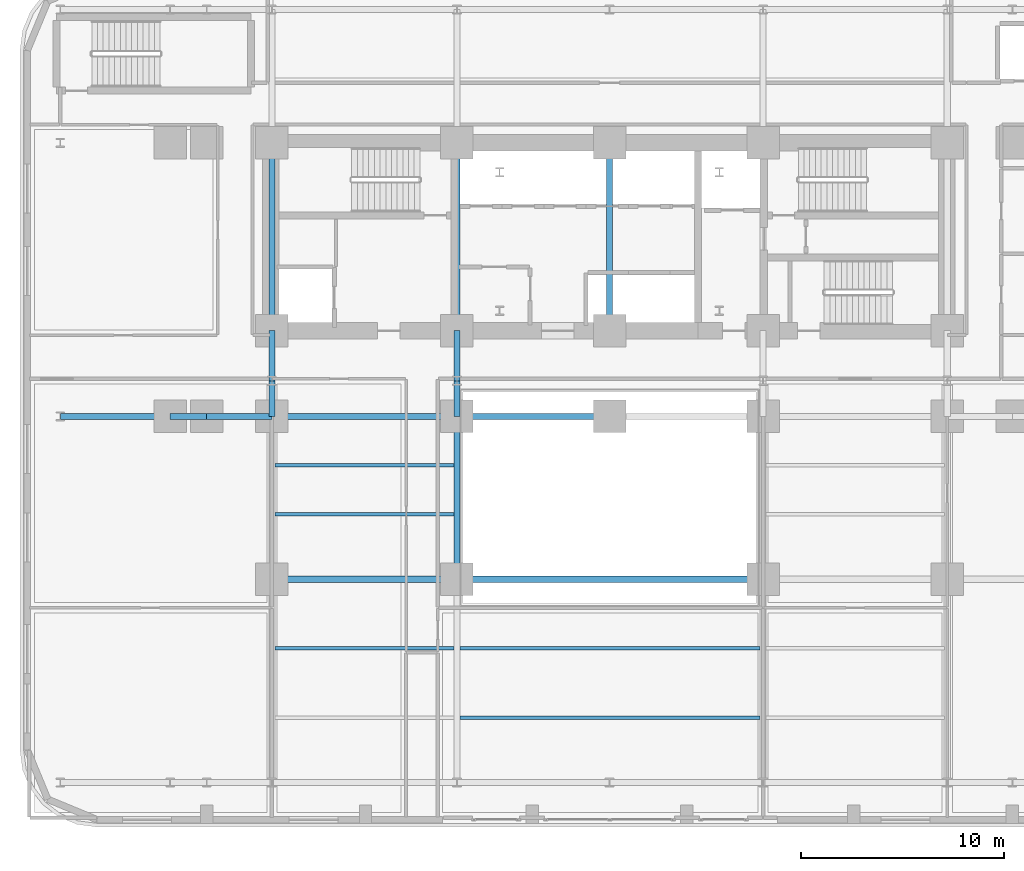
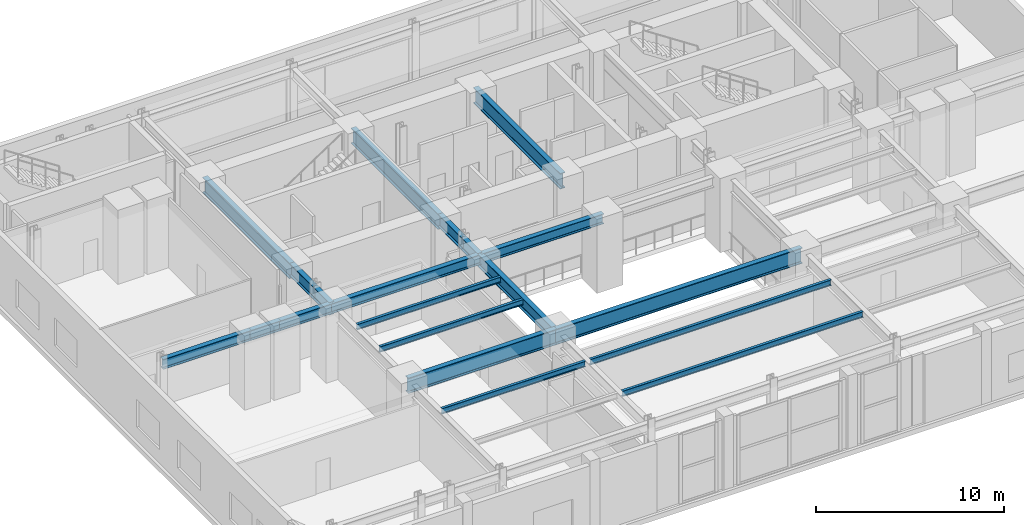
# One storey, part 3 of 16: 20 beams.
"""IFC4 building model written with IfcOpenShell, lengths in metres."""

from ifc_helpers import new_model, si_unit, direction, frame, origin, origin_2d, place, context, subcontext, project, spatial, i_section, extrude, material, material_profile, profile_set, type_object, element, save


model = new_model("IFC4")

# Units and contexts
model_context = context("Model", 3, precision=1e-05, world=origin(), true_north=direction((0.0, 1.0)))
body_context = subcontext(model_context, "Body", "Model", "MODEL_VIEW")
ifc_project = project(units=[si_unit("LENGTHUNIT", "METRE"), si_unit("AREAUNIT", "SQUARE_METRE"), si_unit("VOLUMEUNIT", "CUBIC_METRE"), si_unit("PLANEANGLEUNIT", "RADIAN"), si_unit("MASSUNIT", "GRAM", prefix="KILO")], contexts=[model_context])

# Site, building, storey
site_placement = place(None, origin())
site = spatial("IfcSite", under=ifc_project, at=site_placement, CompositionType="ELEMENT")
building_placement = place(site_placement, origin())
building = spatial("IfcBuilding", under=site, at=building_placement, Name="Zarnavel Station Tower", CompositionType="ELEMENT")
storey_placement = place(building_placement, frame((0.0, 0.0, 19.39990234375)))
storey = spatial("IfcBuildingStorey", under=building, at=storey_placement, Name="L05", CompositionType="ELEMENT", Elevation=19.39990234375)

# Beams
ifc_material_1 = material(Name="Steel S355J2", Category="steel")
ifc_material_profile_1 = material_profile(ifc_material_1, i_section(OverallWidth=0.300048828125, OverallDepth=0.64990234375, WebThickness=0.01611328125, FlangeThickness=0.031005859375, FilletRadius=0.027099609375, at=origin_2d()), Name="HEB650")
ifc_profile_set_1 = profile_set([ifc_material_profile_1], Name="Steel S355J2")
beam_type_1 = type_object("IfcBeamType", Name="FG_HEB650", PredefinedType="USERDEFINED", material=ifc_profile_set_1)
beam_1_placement = place(storey_placement, frame((1.800048828125, 23.60009765625, 4.175048828125), z_axis=(1.0, 0.0, 0.0), x_axis=(0.0, 1.0, 0.0)))
element("IfcBeam", 1, at=beam_1_placement, inside=storey, type_object=beam_type_1, Name="L05 EW Frame Girder 2-1", ObjectType="GIRDER", PredefinedType="USERDEFINED", context=body_context, shape_type="SweptSolid", body=[
    extrude(i_section(OverallWidth=0.300048828125, OverallDepth=0.64990234375, WebThickness=0.01611328125, FlangeThickness=0.031005859375, FilletRadius=0.027099609375, at=origin_2d()), origin(), (0.0, 0.0, 1.0), 5.39990234375),
])
beam_2_placement = place(storey_placement, frame((7.199951171875, 23.60009765625, 4.175048828125), z_axis=(1.0, 0.0, 0.0), x_axis=(0.0, 1.0, 0.0)))
element("IfcBeam", 2, at=beam_2_placement, inside=storey, type_object=beam_type_1, Name="L05 EW Frame Girder 2-2", ObjectType="GIRDER", PredefinedType="USERDEFINED", context=body_context, shape_type="SweptSolid", body=[
    extrude(i_section(OverallWidth=0.300048828125, OverallDepth=0.64990234375, WebThickness=0.01611328125, FlangeThickness=0.031005859375, FilletRadius=0.027099609375, at=origin_2d()), origin(), (0.0, 0.0, 1.0), 1.800048828125),
])
beam_3_placement = place(storey_placement, frame((9.0, 23.60009765625, 4.175048828125), z_axis=(1.0, 0.0, 0.0), x_axis=(0.0, 1.0, 0.0)))
element("IfcBeam", 3, at=beam_3_placement, inside=storey, type_object=beam_type_1, Name="L05 EW Frame Girder 2-3", ObjectType="GIRDER", PredefinedType="USERDEFINED", context=body_context, shape_type="SweptSolid", body=[
    extrude(i_section(OverallWidth=0.300048828125, OverallDepth=0.64990234375, WebThickness=0.01611328125, FlangeThickness=0.031005859375, FilletRadius=0.027099609375, at=origin_2d()), origin(), (0.0, 0.0, 1.0), 3.199951171875),
])
beam_4_placement = place(storey_placement, frame((12.199951171875, 23.60009765625, 4.175048828125), z_axis=(1.0, 0.0, 0.0), x_axis=(0.0, 1.0, 0.0)))
element("IfcBeam", 4, at=beam_4_placement, inside=storey, type_object=beam_type_1, Name="L05 EW Frame Girder 2-4", ObjectType="GIRDER", PredefinedType="USERDEFINED", context=body_context, shape_type="SweptSolid", body=[
    extrude(i_section(OverallWidth=0.300048828125, OverallDepth=0.64990234375, WebThickness=0.01611328125, FlangeThickness=0.031005859375, FilletRadius=0.027099609375, at=origin_2d()), origin(), (0.0, 0.0, 1.0), 9.10009765625),
])
beam_5_placement = place(storey_placement, frame((21.300048828125, 23.60009765625, 4.175048828125), z_axis=(1.0, 0.0, 0.0), x_axis=(0.0, 1.0, 0.0)))
element("IfcBeam", 5, at=beam_5_placement, inside=storey, type_object=beam_type_1, Name="L05 EW Frame Girder 2-5", ObjectType="GIRDER", PredefinedType="USERDEFINED", context=body_context, shape_type="SweptSolid", body=[
    extrude(i_section(OverallWidth=0.300048828125, OverallDepth=0.64990234375, WebThickness=0.01611328125, FlangeThickness=0.031005859375, FilletRadius=0.027099609375, at=origin_2d()), origin(), (0.0, 0.0, 1.0), 7.5),
])
ifc_material_2 = material(Name="Steel S460M", Category="steel")
ifc_material_profile_2 = material_profile(ifc_material_2, i_section(OverallWidth=0.302978515625, OverallDepth=0.81396484375, WebThickness=0.02099609375, FlangeThickness=0.0400390625, FilletRadius=0.030029296875, at=origin_2d()), Name="HEM800")
ifc_profile_set_2 = profile_set([ifc_material_profile_2], Name="Steel S460M")
beam_type_2 = type_object("IfcBeamType", Name="FG_HEM800", PredefinedType="USERDEFINED", material=ifc_profile_set_2)
beam_6_placement = place(storey_placement, frame((12.199951171875, 23.60009765625, 4.093017578125), z_axis=(0.0, 1.0, 0.0), x_axis=(-1.0, 0.0, 0.0)))
element("IfcBeam", 6, at=beam_6_placement, inside=storey, type_object=beam_type_2, Name="L05 NS Girder Spine 1", ObjectType="GIRDER", PredefinedType="USERDEFINED", context=body_context, shape_type="SweptSolid", body=[
    extrude(i_section(OverallWidth=0.302978515625, OverallDepth=0.81396484375, WebThickness=0.02099609375, FlangeThickness=0.0400390625, FilletRadius=0.030029296875, at=origin_2d()), origin(), (0.0, 0.0, 1.0), 1.75),
])
beam_7_placement = place(storey_placement, frame((12.199951171875, 25.35009765625, 4.093017578125), z_axis=(0.0, 1.0, 0.0), x_axis=(-1.0, 0.0, 0.0)))
element("IfcBeam", 7, at=beam_7_placement, inside=storey, type_object=beam_type_2, Name="L05 NS Girder Core 1", ObjectType="GIRDER", PredefinedType="USERDEFINED", context=body_context, shape_type="SweptSolid", body=[
    extrude(i_section(OverallWidth=0.302978515625, OverallDepth=0.81396484375, WebThickness=0.02099609375, FlangeThickness=0.0400390625, FilletRadius=0.030029296875, at=origin_2d()), origin(), (0.0, 0.0, 1.0), 2.469970703125),
])
beam_8_placement = place(storey_placement, frame((21.300048828125, 15.60009765625, 4.093017578125), z_axis=(0.0, 1.0, 0.0), x_axis=(-1.0, 0.0, 0.0)))
element("IfcBeam", 8, at=beam_8_placement, inside=storey, type_object=beam_type_2, Name="L05 NS Girder Mid 2", ObjectType="GIRDER", PredefinedType="USERDEFINED", context=body_context, shape_type="SweptSolid", body=[
    extrude(i_section(OverallWidth=0.302978515625, OverallDepth=0.81396484375, WebThickness=0.02099609375, FlangeThickness=0.0400390625, FilletRadius=0.030029296875, at=origin_2d()), origin(), (0.0, 0.0, 1.0), 8.0),
])
beam_9_placement = place(storey_placement, frame((21.300048828125, 23.60009765625, 4.093017578125), z_axis=(0.0, 1.0, 0.0), x_axis=(-1.0, 0.0, 0.0)))
element("IfcBeam", 9, at=beam_9_placement, inside=storey, type_object=beam_type_2, Name="L05 NS Girder Spine 2", ObjectType="GIRDER", PredefinedType="USERDEFINED", context=body_context, shape_type="SweptSolid", body=[
    extrude(i_section(OverallWidth=0.302978515625, OverallDepth=0.81396484375, WebThickness=0.02099609375, FlangeThickness=0.0400390625, FilletRadius=0.030029296875, at=origin_2d()), origin(), (0.0, 0.0, 1.0), 1.75),
])
beam_10_placement = place(storey_placement, frame((21.300048828125, 25.35009765625, 4.093017578125), z_axis=(0.0, 1.0, 0.0), x_axis=(-1.0, 0.0, 0.0)))
element("IfcBeam", 10, at=beam_10_placement, inside=storey, type_object=beam_type_2, Name="L05 NS Girder Core 2", ObjectType="GIRDER", PredefinedType="USERDEFINED", context=body_context, shape_type="SweptSolid", body=[
    extrude(i_section(OverallWidth=0.302978515625, OverallDepth=0.81396484375, WebThickness=0.02099609375, FlangeThickness=0.0400390625, FilletRadius=0.030029296875, at=origin_2d()), origin(), (0.0, 0.0, 1.0), 2.469970703125),
])
ifc_material_3 = material(Name="Steel S355J2", Category="steel")
ifc_material_profile_3 = material_profile(ifc_material_3, i_section(OverallWidth=0.169921875, OverallDepth=0.360107421875, WebThickness=0.008056640625, FlangeThickness=0.0126953125, FilletRadius=0.01806640625, at=origin_2d()), Name="IPE360")
ifc_profile_set_3 = profile_set([ifc_material_profile_3], Name="Steel S355J2")
beam_type_3 = type_object("IfcBeamType", Name="FJ_IPE360", PredefinedType="JOIST", material=ifc_profile_set_3)
beam_11_placement = place(storey_placement, frame((21.445068359375, 8.800048828125, 4.320068359375), z_axis=(1.0, 0.0, 0.0), x_axis=(0.0, 1.0, 0.0)))
element("IfcBeam", 11, at=beam_11_placement, inside=storey, type_object=beam_type_3, Name="L05 Floor Joist M1", PredefinedType="JOIST", context=body_context, shape_type="SweptSolid", body=[
    extrude(i_section(OverallWidth=0.169921875, OverallDepth=0.360107421875, WebThickness=0.008056640625, FlangeThickness=0.0126953125, FilletRadius=0.01806640625, at=origin_2d()), origin(), (0.0, 0.0, 1.0), 14.760009765625),
])
beam_12_placement = place(storey_placement, frame((12.344970703125, 12.199951171875, 4.320068359375), z_axis=(1.0, 0.0, 0.0), x_axis=(0.0, 1.0, 0.0)))
element("IfcBeam", 12, at=beam_12_placement, inside=storey, type_object=beam_type_3, Name="L05 Floor Joist W2", PredefinedType="JOIST", context=body_context, shape_type="SweptSolid", body=[
    extrude(i_section(OverallWidth=0.169921875, OverallDepth=0.360107421875, WebThickness=0.008056640625, FlangeThickness=0.0126953125, FilletRadius=0.01806640625, at=origin_2d()), origin(), (0.0, 0.0, 1.0), 8.81005859375),
])
beam_13_placement = place(storey_placement, frame((21.445068359375, 12.199951171875, 4.320068359375), z_axis=(1.0, 0.0, 0.0), x_axis=(0.0, 1.0, 0.0)))
element("IfcBeam", 13, at=beam_13_placement, inside=storey, type_object=beam_type_3, Name="L05 Floor Joist M2", PredefinedType="JOIST", context=body_context, shape_type="SweptSolid", body=[
    extrude(i_section(OverallWidth=0.169921875, OverallDepth=0.360107421875, WebThickness=0.008056640625, FlangeThickness=0.0126953125, FilletRadius=0.01806640625, at=origin_2d()), origin(), (0.0, 0.0, 1.0), 14.760009765625),
])
for number, where, z_axis, x_axis, name in (
    (14, (12.344970703125, 18.800048828125, 4.320068359375), (1.0, 0.0, 0.0), (0.0, 1.0, 0.0), "L05 West Joist 3"),
    (15, (12.344970703125, 21.199951171875, 4.320068359375), (1.0, 0.0, 0.0), (0.0, 1.0, 0.0), "L05 West Joist 4"),
):
    element("IfcBeam", number, at=place(storey_placement, frame(where, z_axis=z_axis, x_axis=x_axis)), inside=storey, type_object=beam_type_3, Name=name, PredefinedType="JOIST", context=body_context, shape_type="SweptSolid", body=[
        extrude(i_section(OverallWidth=0.169921875, OverallDepth=0.360107421875, WebThickness=0.008056640625, FlangeThickness=0.0126953125, FilletRadius=0.01806640625, at=origin_2d()), origin(), (0.0, 0.0, 1.0), 8.81005859375),
    ])
ifc_material_4 = material(Name="Steel S460M", Category="steel")
ifc_material_profile_4 = material_profile(ifc_material_4, i_section(OverallWidth=0.302001953125, OverallDepth=1.008056640625, WebThickness=0.02099609375, FlangeThickness=0.0400390625, FilletRadius=0.030029296875, at=origin_2d()), Name="HEM1000")
ifc_profile_set_4 = profile_set([ifc_material_profile_4], Name="Steel S460M")
beam_type_4 = type_object("IfcBeamType", Name="TG_HEM1000", PredefinedType="USERDEFINED", material=ifc_profile_set_4)
for number, where, z_axis, x_axis, name in (
    (16, (12.199951171875, 27.820068359375, 3.99609375), (0.0, 1.0, 0.0), (-1.0, 0.0, 0.0), "L05 Core Spine Coupling Girder 1"),
    (17, (21.300048828125, 27.820068359375, 3.99609375), (0.0, 1.0, 0.0), (-1.0, 0.0, 0.0), "L05 Core Spine Coupling Girder 2"),
    (18, (28.800048828125, 27.820068359375, 3.99609375), (0.0, 1.0, 0.0), (-1.0, 0.0, 0.0), "L05 Core Spine Coupling Girder 3"),
):
    element("IfcBeam", number, at=place(storey_placement, frame(where, z_axis=z_axis, x_axis=x_axis)), inside=storey, type_object=beam_type_4, Name=name, ObjectType="GIRDER", PredefinedType="USERDEFINED", context=body_context, shape_type="SweptSolid", body=[
        extrude(i_section(OverallWidth=0.302001953125, OverallDepth=1.008056640625, WebThickness=0.02099609375, FlangeThickness=0.0400390625, FilletRadius=0.030029296875, at=origin_2d()), origin(), (0.0, 0.0, 1.0), 9.22998046875),
    ])
beam_14_placement = place(storey_placement, frame((12.199951171875, 15.60009765625, 3.99609375), z_axis=(1.0, 0.0, 0.0), x_axis=(0.0, 1.0, 0.0)))
element("IfcBeam", 19, at=beam_14_placement, inside=storey, type_object=beam_type_4, Name="L05 West Hall Girder", ObjectType="GIRDER", PredefinedType="USERDEFINED", context=body_context, shape_type="SweptSolid", body=[
    extrude(i_section(OverallWidth=0.302001953125, OverallDepth=1.008056640625, WebThickness=0.02099609375, FlangeThickness=0.0400390625, FilletRadius=0.030029296875, at=origin_2d()), origin(), (0.0, 0.0, 1.0), 9.10009765625),
])
beam_15_placement = place(storey_placement, frame((21.300048828125, 15.60009765625, 3.99609375), z_axis=(1.0, 0.0, 0.0), x_axis=(0.0, 1.0, 0.0)))
element("IfcBeam", 20, at=beam_15_placement, inside=storey, type_object=beam_type_4, Name="L05 Concourse Long-Span Girder", ObjectType="GIRDER", PredefinedType="USERDEFINED", context=body_context, shape_type="SweptSolid", body=[
    extrude(i_section(OverallWidth=0.302001953125, OverallDepth=1.008056640625, WebThickness=0.02099609375, FlangeThickness=0.0400390625, FilletRadius=0.030029296875, at=origin_2d()), origin(), (0.0, 0.0, 1.0), 15.050048828125),
])

save(model, "model.ifc")
